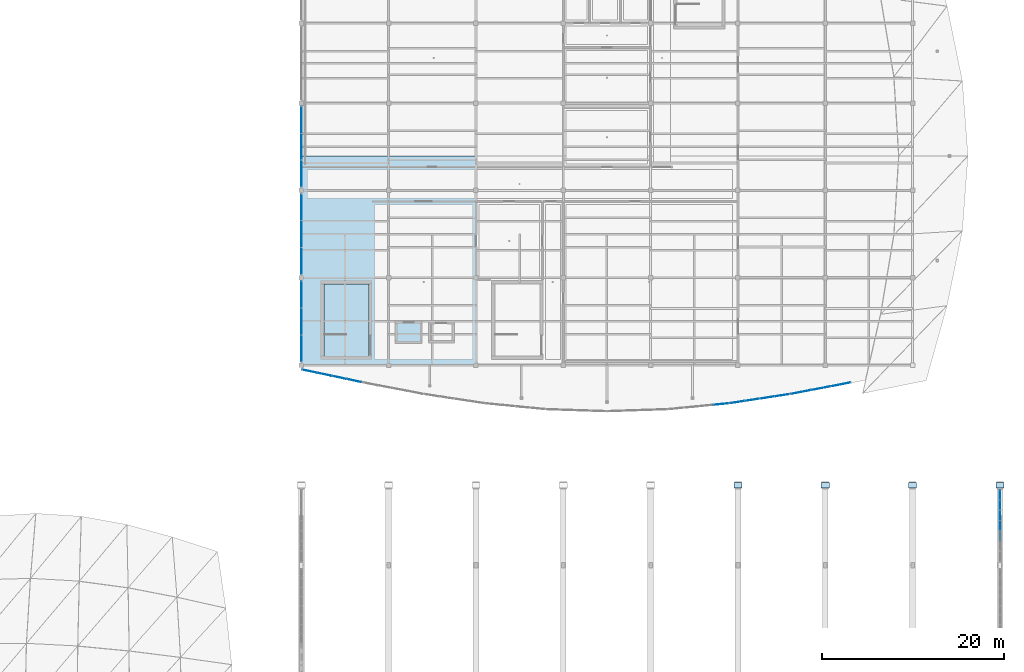
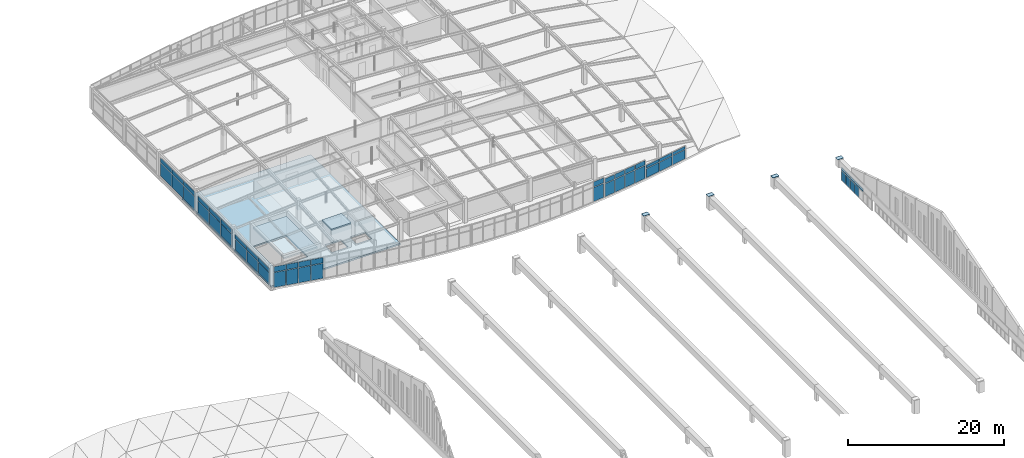
# One storey, part 55 of 65: 55 plates, 3 slabs, 8 elements without a shape of their own.
"""IFC4 building model written with IfcOpenShell, lengths in metres."""

from ifc_helpers import new_model, si_unit, direction, frame, origin, origin_2d, place, context, subcontext, project, spatial, polyline, rectangle, outline, extrude, material, layer, layer_set, type_object, element, aggregate, save


model = new_model("IFC4")

# Units and contexts
model_context = context("Model", 3, precision=1e-05, world=origin(), true_north=direction((0.0, 1.0)))
body_context = subcontext(model_context, "Body", "Model", "MODEL_VIEW")
ifc_project = project(units=[si_unit("LENGTHUNIT", "METRE"), si_unit("AREAUNIT", "SQUARE_METRE"), si_unit("VOLUMEUNIT", "CUBIC_METRE"), si_unit("PLANEANGLEUNIT", "RADIAN"), si_unit("MASSUNIT", "GRAM", prefix="KILO")], contexts=[model_context])

# Site, building, storey
site_placement = place(None, origin())
site = spatial("IfcSite", under=ifc_project, at=site_placement, CompositionType="ELEMENT")
building_placement = place(site_placement, origin())
building = spatial("IfcBuilding", under=site, at=building_placement, Name="Chalmorin Arch Market", CompositionType="ELEMENT")
storey_placement = place(building_placement, frame((0.0, 0.0, 14.10009765625)))
storey = spatial("IfcBuildingStorey", under=building, at=storey_placement, Name="L03", CompositionType="ELEMENT", Elevation=14.10009765625)

# Slab
ifc_material_1 = material(Name="Concrete C40/50", Category="concrete")
ifc_layer_1 = layer(ifc_material_1, 0.239990234375)
ifc_layer_set_1 = layer_set([ifc_layer_1], Name="Concrete C40/50")
slab_type_1 = type_object("IfcSlabType", Name="AdminFloorSlab-240", PredefinedType="FLOOR", material=ifc_layer_set_1)
slab_1_placement = place(storey_placement, frame((0.0, 0.0, -0.239990234375)))
element("IfcSlab", 1, at=slab_1_placement, inside=storey, type_object=slab_type_1, Name="FS-240-120", PredefinedType="FLOOR", context=body_context, shape_type="SweptSolid", body=[
    extrude(outline(polyline([(48.010009765625, 72.0), (67.18994140625, 72.0), (67.18994140625, 94.989990234375), (48.010009765625, 94.989990234375), (48.010009765625, 72.0)]), holes=[polyline([(50.5, 75.35009765625), (55.39990234375, 75.35009765625), (55.39990234375, 80.89990234375), (50.5, 80.89990234375), (50.5, 75.35009765625)]), polyline([(58.60009765625, 74.64990234375), (61.0, 74.64990234375), (61.0, 76.550048828125), (58.60009765625, 76.550048828125), (58.60009765625, 74.64990234375)]), polyline([(62.25, 74.72509765625), (64.550048828125, 74.72509765625), (64.550048828125, 76.47509765625), (62.25, 76.47509765625), (62.25, 74.72509765625)])]), origin(), (0.0, 0.0, 1.0), 0.239990234375),
])

# Plates
ifc_material_2 = material(Name="Steel A572 Grade 50", Category="steel")
ifc_layer_2 = layer(ifc_material_2, 0.035888671875)
ifc_layer_set_2 = layer_set([ifc_layer_2], Name="Steel A572 Grade 50")
plate_type_1 = type_object("IfcPlateType", Name="ArchSpringBasePlate-900x600x36", PredefinedType="SHEET", material=ifc_layer_set_2)
for number, where, z_axis, x_axis, name in (
    (2, (96.0, 58.800048828125, 2.4970703125), (0.0, 0.0, 1.0), (1.0, 0.0, 0.0), "GP-02-040"),
    (3, (105.60009765625, 58.800048828125, 2.20458984375), (0.0, 0.0, 1.0), (1.0, 0.0, 0.0), "GP-02-042"),
    (4, (115.199951171875, 58.800048828125, 1.7666015625), (0.0, 0.0, 1.0), (1.0, 0.0, 0.0), "GP-02-044"),
    (5, (124.800048828125, 58.800048828125, 1.25), (0.0, 0.0, 1.0), (1.0, 0.0, 0.0), "GP-02-046"),
):
    element("IfcPlate", number, at=place(storey_placement, frame(where, z_axis=z_axis, x_axis=x_axis)), inside=storey, type_object=plate_type_1, Name=name, PredefinedType="SHEET", context=body_context, shape_type="SweptSolid", body=[
        extrude(rectangle(XDim=0.89990234375, YDim=0.60009765625, at=origin_2d()), origin(), (0.0, 0.0, 1.0), 0.035888671875),
    ])

# Slabs
ifc_layer_3 = layer(ifc_material_1, 0.219970703125)
ifc_layer_set_3 = layer_set([ifc_layer_3], Name="Concrete C40/50")
slab_type_2 = type_object("IfcSlabType", Name="ColonnadeCanopySlab-220", PredefinedType="ROOF", material=ifc_layer_set_3)
slab_2_placement = place(storey_placement, frame((0.0, 0.0, 2.75)))
element("IfcSlab", 6, at=slab_2_placement, inside=storey, type_object=slab_type_2, Name="RS-SC5-CAP", PredefinedType="ROOF", context=body_context, shape_type="SweptSolid", body=[
    extrude(outline(polyline([(50.469970703125, 72.969970703125), (55.429931640625, 72.969970703125), (55.429931640625, 80.929931640625), (50.469970703125, 80.929931640625), (50.469970703125, 72.969970703125)])), origin(), (0.0, 0.0, 1.0), 0.219970703125),
])
slab_3_placement = place(storey_placement, frame((0.0, 0.0, 3.64990234375)))
element("IfcSlab", 7, at=slab_3_placement, inside=storey, type_object=slab_type_2, Name="RS-LF-FF1-OVR", PredefinedType="ROOF", context=body_context, shape_type="SweptSolid", body=[
    extrude(outline(polyline([(58.330078125, 74.3798828125), (61.27001953125, 74.3798828125), (61.27001953125, 76.820068359375), (58.330078125, 76.820068359375), (58.330078125, 74.3798828125)])), origin(), (0.0, 0.0, 1.0), 0.219970703125),
])

# Curtain wall, plates
ifc_material_3 = material(Name="Aluminium 6063-T6", Category="aluminium")
ifc_layer_4 = layer(ifc_material_3, 0.159912109375)
ifc_layer_set_4 = layer_set([ifc_layer_4], Name="Aluminium 6063-T6")
curtain_wall_type_1 = type_object("IfcCurtainWallType", Name="GableTympanumCurtainWall-CW4-7880x2180", PredefinedType="NOTDEFINED", material=ifc_layer_set_4)
curtain_wall_1_placement = place(storey_placement, origin())
curtain_wall_1 = element("IfcCurtainWall", 8, at=curtain_wall_1_placement, inside=storey, type_object=curtain_wall_type_1, Name="CW-04-044", PredefinedType="NOTDEFINED")
ifc_material_4 = material(Name="Powder-coated Aluminium Panel", Category="aluminium")
ifc_layer_5 = layer(ifc_material_4, 0.0400390625)
ifc_layer_set_5 = layer_set([ifc_layer_5], Name="Powder-coated Aluminium Panel")
plate_type_2 = type_object("IfcPlateType", Name="ShadowboxSpandrelPanel-40", PredefinedType="CURTAIN_PANEL", material=ifc_layer_set_5)
plate_1_placement = place(storey_placement, frame((124.800048828125, 53.224365234375, -0.3818359375), z_axis=(0.0, 0.0, 1.0), x_axis=(0.0, 1.0, 0.0)))
plate_1 = element("IfcPlate", 9, at=plate_1_placement, type_object=plate_type_2, Name="SP-40-044-03B", PredefinedType="CURTAIN_PANEL", context=body_context, shape_type="SweptSolid", body=[
    extrude(rectangle(XDim=1.045654296875, YDim=0.0400390625, at=origin_2d()), origin(), (0.0, 0.0, 1.0), 0.496826171875),
])
plate_2_placement = place(storey_placement, frame((124.800048828125, 54.35009765625, -0.3818359375), z_axis=(0.0, 0.0, 1.0), x_axis=(0.0, 1.0, 0.0)))
plate_2 = element("IfcPlate", 10, at=plate_2_placement, type_object=plate_type_2, Name="SP-40-044-04B", PredefinedType="CURTAIN_PANEL", context=body_context, shape_type="SweptSolid", body=[
    extrude(rectangle(XDim=1.045654296875, YDim=0.0400390625, at=origin_2d()), origin(), (0.0, 0.0, 1.0), 0.496826171875),
])
plate_3_placement = place(storey_placement, frame((124.800048828125, 55.4755859375, -0.3818359375), z_axis=(0.0, 0.0, 1.0), x_axis=(0.0, 1.0, 0.0)))
plate_3 = element("IfcPlate", 11, at=plate_3_placement, type_object=plate_type_2, Name="SP-40-044-05B", PredefinedType="CURTAIN_PANEL", context=body_context, shape_type="SweptSolid", body=[
    extrude(rectangle(XDim=1.045654296875, YDim=0.0400390625, at=origin_2d()), origin(), (0.0, 0.0, 1.0), 0.496826171875),
])
plate_4_placement = place(storey_placement, frame((124.800048828125, 56.601318359375, -0.3818359375), z_axis=(0.0, 0.0, 1.0), x_axis=(0.0, 1.0, 0.0)))
plate_4 = element("IfcPlate", 12, at=plate_4_placement, type_object=plate_type_2, Name="SP-40-044-06B", PredefinedType="CURTAIN_PANEL", context=body_context, shape_type="SweptSolid", body=[
    extrude(rectangle(XDim=1.045654296875, YDim=0.0400390625, at=origin_2d()), origin(), (0.0, 0.0, 1.0), 0.496826171875),
])
plate_5_placement = place(storey_placement, frame((124.800048828125, 57.72705078125, -0.3818359375), z_axis=(0.0, 0.0, 1.0), x_axis=(0.0, 1.0, 0.0)))
plate_5 = element("IfcPlate", 13, at=plate_5_placement, type_object=plate_type_2, Name="SP-40-044-07B", PredefinedType="CURTAIN_PANEL", context=body_context, shape_type="SweptSolid", body=[
    extrude(rectangle(XDim=1.045654296875, YDim=0.0400390625, at=origin_2d()), origin(), (0.0, 0.0, 1.0), 0.496826171875),
])

ifc_layer_6 = layer(ifc_material_3, 0.159912109375)
ifc_layer_set_6 = layer_set([ifc_layer_6], Name="Aluminium 6063-T6")
curtain_wall_type_2 = type_object("IfcCurtainWallType", Name="CulinaryStudioCurtainWall-CW3-8880x2570", PredefinedType="NOTDEFINED", material=ifc_layer_set_6)
curtain_wall_2_placement = place(storey_placement, origin())
curtain_wall_2 = element("IfcCurtainWall", 14, at=curtain_wall_2_placement, inside=storey, type_object=curtain_wall_type_2, Name="CW-03-109", PredefinedType="NOTDEFINED")
plate_6_placement = place(storey_placement, frame((48.0, 73.840087890625, 1.892333984375), z_axis=(0.0, 0.0, 1.0), x_axis=(0.0, 1.0, 0.0)))
plate_6 = element("IfcPlate", 15, at=plate_6_placement, type_object=plate_type_2, Name="SP-40-109-01B", PredefinedType="CURTAIN_PANEL", context=body_context, shape_type="SweptSolid", body=[
    extrude(rectangle(XDim=2.8798828125, YDim=0.0400390625, at=origin_2d()), origin(), (0.0, 0.0, 1.0), 0.603515625),
])
plate_7_placement = place(storey_placement, frame((48.0, 76.800048828125, 1.892333984375), z_axis=(0.0, 0.0, 1.0), x_axis=(0.0, 1.0, 0.0)))
plate_7 = element("IfcPlate", 16, at=plate_7_placement, type_object=plate_type_2, Name="SP-40-109-02B", PredefinedType="CURTAIN_PANEL", context=body_context, shape_type="SweptSolid", body=[
    extrude(rectangle(XDim=2.8798828125, YDim=0.0400390625, at=origin_2d()), origin(), (0.0, 0.0, 1.0), 0.603515625),
])
plate_8_placement = place(storey_placement, frame((48.0, 79.760009765625, 1.892333984375), z_axis=(0.0, 0.0, 1.0), x_axis=(0.0, 1.0, 0.0)))
plate_8 = element("IfcPlate", 17, at=plate_8_placement, type_object=plate_type_2, Name="SP-40-109-03B", PredefinedType="CURTAIN_PANEL", context=body_context, shape_type="SweptSolid", body=[
    extrude(rectangle(XDim=2.8798828125, YDim=0.0400390625, at=origin_2d()), origin(), (0.0, 0.0, 1.0), 0.603515625),
])

ifc_layer_7 = layer(ifc_material_3, 0.159912109375)
ifc_layer_set_7 = layer_set([ifc_layer_7], Name="Aluminium 6063-T6")
curtain_wall_type_3 = type_object("IfcCurtainWallType", Name="CulinaryStudioCurtainWall-CW3-8880x2840", PredefinedType="NOTDEFINED", material=ifc_layer_set_7)
curtain_wall_3_placement = place(storey_placement, origin())
curtain_wall_3 = element("IfcCurtainWall", 18, at=curtain_wall_3_placement, inside=storey, type_object=curtain_wall_type_3, Name="CW-03-112", PredefinedType="NOTDEFINED")
plate_9_placement = place(storey_placement, frame((48.0, 83.43994140625, 2.09326171875), z_axis=(0.0, 0.0, 1.0), x_axis=(0.0, 1.0, 0.0)))
plate_9 = element("IfcPlate", 19, at=plate_9_placement, type_object=plate_type_2, Name="SP-40-112-01B", PredefinedType="CURTAIN_PANEL", context=body_context, shape_type="SweptSolid", body=[
    extrude(rectangle(XDim=2.8798828125, YDim=0.0400390625, at=origin_2d()), origin(), (0.0, 0.0, 1.0), 0.681640625),
])
plate_10_placement = place(storey_placement, frame((48.0, 86.39990234375, 2.09326171875), z_axis=(0.0, 0.0, 1.0), x_axis=(0.0, 1.0, 0.0)))
plate_10 = element("IfcPlate", 20, at=plate_10_placement, type_object=plate_type_2, Name="SP-40-112-02B", PredefinedType="CURTAIN_PANEL", context=body_context, shape_type="SweptSolid", body=[
    extrude(rectangle(XDim=2.8798828125, YDim=0.0400390625, at=origin_2d()), origin(), (0.0, 0.0, 1.0), 0.681640625),
])
plate_11_placement = place(storey_placement, frame((48.0, 89.360107421875, 2.09326171875), z_axis=(0.0, 0.0, 1.0), x_axis=(0.0, 1.0, 0.0)))
plate_11 = element("IfcPlate", 21, at=plate_11_placement, type_object=plate_type_2, Name="SP-40-112-03B", PredefinedType="CURTAIN_PANEL", context=body_context, shape_type="SweptSolid", body=[
    extrude(rectangle(XDim=2.8798828125, YDim=0.0400390625, at=origin_2d()), origin(), (0.0, 0.0, 1.0), 0.681640625),
])

ifc_layer_8 = layer(ifc_material_3, 0.159912109375)
ifc_layer_set_8 = layer_set([ifc_layer_8], Name="Aluminium 6063-T6")
curtain_wall_type_4 = type_object("IfcCurtainWallType", Name="CulinaryStudioCurtainWall-CW3-8880x2980", PredefinedType="NOTDEFINED", material=ifc_layer_set_8)
curtain_wall_4_placement = place(storey_placement, origin())
curtain_wall_4 = element("IfcCurtainWall", 22, at=curtain_wall_4_placement, inside=storey, type_object=curtain_wall_type_4, Name="CW-03-114", PredefinedType="NOTDEFINED")
plate_12_placement = place(storey_placement, frame((48.0, 93.0400390625, 2.189208984375), z_axis=(0.0, 0.0, 1.0), x_axis=(0.0, 1.0, 0.0)))
plate_12 = element("IfcPlate", 23, at=plate_12_placement, type_object=plate_type_2, Name="SP-40-114-01B", PredefinedType="CURTAIN_PANEL", context=body_context, shape_type="SweptSolid", body=[
    extrude(rectangle(XDim=2.8798828125, YDim=0.0400390625, at=origin_2d()), origin(), (0.0, 0.0, 1.0), 0.71875),
])
plate_13_placement = place(storey_placement, frame((48.0, 96.0, 2.189208984375), z_axis=(0.0, 0.0, 1.0), x_axis=(0.0, 1.0, 0.0)))
plate_13 = element("IfcPlate", 24, at=plate_13_placement, type_object=plate_type_2, Name="SP-40-114-02B", PredefinedType="CURTAIN_PANEL", context=body_context, shape_type="SweptSolid", body=[
    extrude(rectangle(XDim=2.8798828125, YDim=0.0400390625, at=origin_2d()), origin(), (0.0, 0.0, 1.0), 0.71875),
])
plate_14_placement = place(storey_placement, frame((48.0, 98.9599609375, 2.189208984375), z_axis=(0.0, 0.0, 1.0), x_axis=(0.0, 1.0, 0.0)))
plate_14 = element("IfcPlate", 25, at=plate_14_placement, type_object=plate_type_2, Name="SP-40-114-03B", PredefinedType="CURTAIN_PANEL", context=body_context, shape_type="SweptSolid", body=[
    extrude(rectangle(XDim=2.8798828125, YDim=0.0400390625, at=origin_2d()), origin(), (0.0, 0.0, 1.0), 0.71875),
])

ifc_layer_9 = layer(ifc_material_3, 0.159912109375)
ifc_layer_set_9 = layer_set([ifc_layer_9], Name="Aluminium 6063-T6")
curtain_wall_type_5 = type_object("IfcCurtainWallType", Name="CulinaryStudioCurtainWall-CW3-6690x3420", PredefinedType="NOTDEFINED", material=ifc_layer_set_9)
curtain_wall_5_placement = place(storey_placement, origin())
curtain_wall_5 = element("IfcCurtainWall", 26, at=curtain_wall_5_placement, inside=storey, type_object=curtain_wall_type_5, Name="CW-03-152", PredefinedType="NOTDEFINED")
plate_15_placement = place(storey_placement, frame((48.906005859375, 71.328369140625, 2.484375), z_axis=(0.0, 0.0, 1.0), x_axis=(0.978147600734, -0.207911690818, 0.0)))
plate_15 = element("IfcPlate", 27, at=plate_15_placement, type_object=plate_type_2, Name="SP-40-152-01B", PredefinedType="CURTAIN_PANEL", context=body_context, shape_type="SweptSolid", body=[
    extrude(rectangle(XDim=1.592041015625, YDim=0.0400390625, at=origin_2d()), origin(), (0.0, 0.0, 1.0), 0.841552734375),
])
plate_16_placement = place(storey_placement, frame((50.5419921875, 70.982421875, 2.484375), z_axis=(0.0, 0.0, 1.0), x_axis=(0.978147600734, -0.207911690818, 0.0)))
plate_16 = element("IfcPlate", 28, at=plate_16_placement, type_object=plate_type_2, Name="SP-40-152-02B", PredefinedType="CURTAIN_PANEL", context=body_context, shape_type="SweptSolid", body=[
    extrude(rectangle(XDim=1.592041015625, YDim=0.0400390625, at=origin_2d()), origin(), (0.0, 0.0, 1.0), 0.841552734375),
])
plate_17_placement = place(storey_placement, frame((52.177978515625, 70.636474609375, 2.484375), z_axis=(0.0, 0.0, 1.0), x_axis=(0.978147600734, -0.207911690818, 0.0)))
plate_17 = element("IfcPlate", 29, at=plate_17_placement, type_object=plate_type_2, Name="SP-40-152-03B", PredefinedType="CURTAIN_PANEL", context=body_context, shape_type="SweptSolid", body=[
    extrude(rectangle(XDim=1.592041015625, YDim=0.0400390625, at=origin_2d()), origin(), (0.0, 0.0, 1.0), 0.841552734375),
])
plate_18_placement = place(storey_placement, frame((53.81396484375, 70.29052734375, 2.484375), z_axis=(0.0, 0.0, 1.0), x_axis=(0.978147600734, -0.207911690818, 0.0)))
plate_18 = element("IfcPlate", 30, at=plate_18_placement, type_object=plate_type_2, Name="SP-40-152-04B", PredefinedType="CURTAIN_PANEL", context=body_context, shape_type="SweptSolid", body=[
    extrude(rectangle(XDim=1.592041015625, YDim=0.0400390625, at=origin_2d()), origin(), (0.0, 0.0, 1.0), 0.841552734375),
])

# Curtain wall, plate
ifc_layer_10 = layer(ifc_material_3, 0.159912109375)
ifc_layer_set_10 = layer_set([ifc_layer_10], Name="Aluminium 6063-T6")
curtain_wall_type_6 = type_object("IfcCurtainWallType", Name="CulinaryStudioCurtainWall-CW3-6570x3220", PredefinedType="NOTDEFINED", material=ifc_layer_set_10)
curtain_wall_6_placement = place(storey_placement, origin())
curtain_wall_6 = element("IfcCurtainWall", 31, at=curtain_wall_6_placement, inside=storey, type_object=curtain_wall_type_6, Name="CW-03-170", PredefinedType="NOTDEFINED")
plate_19_placement = place(storey_placement, frame((94.1328125, 67.710693359375, 2.34619140625), z_axis=(0.0, 0.0, 1.0), x_axis=(0.994521895368, 0.104528463268, 0.0)))
plate_19 = element("IfcPlate", 32, at=plate_19_placement, type_object=plate_type_2, Name="SP-40-170-04B", PredefinedType="CURTAIN_PANEL", context=body_context, shape_type="SweptSolid", body=[
    extrude(rectangle(XDim=1.56298828125, YDim=0.0400390625, at=origin_2d()), origin(), (0.0, 0.0, 1.0), 0.78759765625),
])

# Curtain wall, plates
ifc_layer_11 = layer(ifc_material_3, 0.159912109375)
ifc_layer_set_11 = layer_set([ifc_layer_11], Name="Aluminium 6063-T6")
curtain_wall_type_7 = type_object("IfcCurtainWallType", Name="CulinaryStudioCurtainWall-CW3-6620x2970", PredefinedType="NOTDEFINED", material=ifc_layer_set_11)
curtain_wall_7_placement = place(storey_placement, origin())
curtain_wall_7 = element("IfcCurtainWall", 33, at=curtain_wall_7_placement, inside=storey, type_object=curtain_wall_type_7, Name="CW-03-173", PredefinedType="NOTDEFINED")
plate_20_placement = place(storey_placement, frame((95.94677734375, 67.936279296875, 2.16552734375), z_axis=(0.0, 0.0, 1.0), x_axis=(0.987688340595, 0.15643446504, 0.0)))
plate_20 = element("IfcPlate", 34, at=plate_20_placement, type_object=plate_type_2, Name="SP-40-173-01B", PredefinedType="CURTAIN_PANEL", context=body_context, shape_type="SweptSolid", body=[
    extrude(rectangle(XDim=1.57421875, YDim=0.0400390625, at=origin_2d()), origin(), (0.0, 0.0, 1.0), 0.71728515625),
])
plate_21_placement = place(storey_placement, frame((97.582275390625, 68.183837890625, 2.16552734375), z_axis=(0.0, 0.0, 1.0), x_axis=(0.987688340595, 0.15643446504, 0.0)))
plate_21 = element("IfcPlate", 35, at=plate_21_placement, type_object=plate_type_2, Name="SP-40-173-02B", PredefinedType="CURTAIN_PANEL", context=body_context, shape_type="SweptSolid", body=[
    extrude(rectangle(XDim=1.57421875, YDim=0.0400390625, at=origin_2d()), origin(), (0.0, 0.0, 1.0), 0.71728515625),
])
plate_22_placement = place(storey_placement, frame((99.2177734375, 68.43115234375, 2.16552734375), z_axis=(0.0, 0.0, 1.0), x_axis=(0.987688340595, 0.15643446504, 0.0)))
plate_22 = element("IfcPlate", 36, at=plate_22_placement, type_object=plate_type_2, Name="SP-40-173-03B", PredefinedType="CURTAIN_PANEL", context=body_context, shape_type="SweptSolid", body=[
    extrude(rectangle(XDim=1.57421875, YDim=0.0400390625, at=origin_2d()), origin(), (0.0, 0.0, 1.0), 0.71728515625),
])
plate_23_placement = place(storey_placement, frame((100.853271484375, 68.6787109375, 2.16552734375), z_axis=(0.0, 0.0, 1.0), x_axis=(0.987688340595, 0.15643446504, 0.0)))
plate_23 = element("IfcPlate", 37, at=plate_23_placement, type_object=plate_type_2, Name="SP-40-173-04B", PredefinedType="CURTAIN_PANEL", context=body_context, shape_type="SweptSolid", body=[
    extrude(rectangle(XDim=1.57421875, YDim=0.0400390625, at=origin_2d()), origin(), (0.0, 0.0, 1.0), 0.71728515625),
])

ifc_layer_12 = layer(ifc_material_3, 0.159912109375)
ifc_layer_set_12 = layer_set([ifc_layer_12], Name="Aluminium 6063-T6")
curtain_wall_type_8 = type_object("IfcCurtainWallType", Name="CulinaryStudioCurtainWall-CW3-6660x2110", PredefinedType="NOTDEFINED", material=ifc_layer_set_12)
curtain_wall_8_placement = place(storey_placement, origin())
curtain_wall_8 = element("IfcCurtainWall", 38, at=curtain_wall_8_placement, inside=storey, type_object=curtain_wall_type_8, Name="CW-03-176", PredefinedType="NOTDEFINED")
plate_24_placement = place(storey_placement, frame((102.93896484375, 69.041015625, 1.546875), z_axis=(0.0, 0.0, 1.0), x_axis=(0.981627183448, 0.190808995377, 0.0)))
plate_24 = element("IfcPlate", 39, at=plate_24_placement, type_object=plate_type_2, Name="SP-40-176-01B", PredefinedType="CURTAIN_PANEL", context=body_context, shape_type="SweptSolid", body=[
    extrude(rectangle(XDim=2.140380859375, YDim=0.0400390625, at=origin_2d()), origin(), (0.0, 0.0, 1.0), 0.476806640625),
])
plate_25_placement = place(storey_placement, frame((105.1201171875, 69.45751953125, 1.546875), z_axis=(0.0, 0.0, 1.0), x_axis=(0.981627183448, 0.190808995377, 0.0)))
plate_25 = element("IfcPlate", 40, at=plate_25_placement, type_object=plate_type_2, Name="SP-40-176-02B", PredefinedType="CURTAIN_PANEL", context=body_context, shape_type="SweptSolid", body=[
    extrude(rectangle(XDim=2.140380859375, YDim=0.0400390625, at=origin_2d()), origin(), (0.0, 0.0, 1.0), 0.476806640625),
])
plate_26_placement = place(storey_placement, frame((107.301025390625, 69.873779296875, 1.546875), z_axis=(0.0, 0.0, 1.0), x_axis=(0.981627183448, 0.190808995377, 0.0)))
plate_26 = element("IfcPlate", 41, at=plate_26_placement, type_object=plate_type_2, Name="SP-40-176-03B", PredefinedType="CURTAIN_PANEL", context=body_context, shape_type="SweptSolid", body=[
    extrude(rectangle(XDim=2.140380859375, YDim=0.0400390625, at=origin_2d()), origin(), (0.0, 0.0, 1.0), 0.476806640625),
])

# Plate
ifc_material_5 = material(Name="Laminated Acoustic Glass", Category="glass")
ifc_layer_13 = layer(ifc_material_5, 0.031982421875)
ifc_layer_set_13 = layer_set([ifc_layer_13], Name="Laminated Acoustic Glass")
plate_type_3 = type_object("IfcPlateType", Name="TintedClerestoryGlass-32", PredefinedType="CURTAIN_PANEL", material=ifc_layer_set_13)
plate_27_placement = place(storey_placement, frame((124.800048828125, 54.35009765625, -1.93017578125), z_axis=(0.0, 0.0, 1.0), x_axis=(0.0, 1.0, 0.0)))
plate_27 = element("IfcPlate", 42, at=plate_27_placement, type_object=plate_type_3, Name="GL-32-044-04A", PredefinedType="CURTAIN_PANEL", context=body_context, shape_type="SweptSolid", body=[
    extrude(rectangle(XDim=1.045654296875, YDim=0.031982421875, at=origin_2d()), origin(), (0.0, 0.0, 1.0), 1.458251953125),
])

plate_28_placement = place(storey_placement, frame((124.800048828125, 55.4755859375, -1.93017578125), z_axis=(0.0, 0.0, 1.0), x_axis=(0.0, 1.0, 0.0)))
plate_28 = element("IfcPlate", 43, at=plate_28_placement, type_object=plate_type_3, Name="GL-32-044-05A", PredefinedType="CURTAIN_PANEL", context=body_context, shape_type="SweptSolid", body=[
    extrude(rectangle(XDim=1.045654296875, YDim=0.031982421875, at=origin_2d()), origin(), (0.0, 0.0, 1.0), 1.458251953125),
])

plate_29_placement = place(storey_placement, frame((124.800048828125, 56.601318359375, -1.93017578125), z_axis=(0.0, 0.0, 1.0), x_axis=(0.0, 1.0, 0.0)))
plate_29 = element("IfcPlate", 44, at=plate_29_placement, type_object=plate_type_3, Name="GL-32-044-06A", PredefinedType="CURTAIN_PANEL", context=body_context, shape_type="SweptSolid", body=[
    extrude(rectangle(XDim=1.045654296875, YDim=0.031982421875, at=origin_2d()), origin(), (0.0, 0.0, 1.0), 1.458251953125),
])

plate_30_placement = place(storey_placement, frame((124.800048828125, 57.72705078125, -1.93017578125), z_axis=(0.0, 0.0, 1.0), x_axis=(0.0, 1.0, 0.0)))
plate_30 = element("IfcPlate", 45, at=plate_30_placement, type_object=plate_type_3, Name="GL-32-044-07A", PredefinedType="CURTAIN_PANEL", context=body_context, shape_type="SweptSolid", body=[
    extrude(rectangle(XDim=1.045654296875, YDim=0.031982421875, at=origin_2d()), origin(), (0.0, 0.0, 1.0), 1.458251953125),
])

aggregate(curtain_wall_1, [plate_1, plate_27, plate_2, plate_28, plate_3, plate_29, plate_4, plate_30, plate_5])

ifc_material_6 = material(Name="Low-E Tempered Glass", Category="glass")
ifc_layer_14 = layer(ifc_material_6, 0.028076171875)
ifc_layer_set_14 = layer_set([ifc_layer_14], Name="Low-E Tempered Glass")
plate_type_4 = type_object("IfcPlateType", Name="VisionIGUPanel-28", PredefinedType="CURTAIN_PANEL", material=ifc_layer_set_14)
plate_31_placement = place(storey_placement, frame((48.0, 73.840087890625, 0.06982421875), z_axis=(0.0, 0.0, 1.0), x_axis=(0.0, 1.0, 0.0)))
plate_31 = element("IfcPlate", 46, at=plate_31_placement, type_object=plate_type_4, Name="GL-28-109-01A", PredefinedType="CURTAIN_PANEL", context=body_context, shape_type="SweptSolid", body=[
    extrude(rectangle(XDim=2.8798828125, YDim=0.028076171875, at=origin_2d()), origin(), (0.0, 0.0, 1.0), 1.732421875),
])

plate_32_placement = place(storey_placement, frame((48.0, 76.800048828125, 0.06982421875), z_axis=(0.0, 0.0, 1.0), x_axis=(0.0, 1.0, 0.0)))
plate_32 = element("IfcPlate", 47, at=plate_32_placement, type_object=plate_type_4, Name="GL-28-109-02A", PredefinedType="CURTAIN_PANEL", context=body_context, shape_type="SweptSolid", body=[
    extrude(rectangle(XDim=2.8798828125, YDim=0.028076171875, at=origin_2d()), origin(), (0.0, 0.0, 1.0), 1.732421875),
])

plate_33_placement = place(storey_placement, frame((48.0, 79.760009765625, 0.06982421875), z_axis=(0.0, 0.0, 1.0), x_axis=(0.0, 1.0, 0.0)))
plate_33 = element("IfcPlate", 48, at=plate_33_placement, type_object=plate_type_4, Name="GL-28-109-03A", PredefinedType="CURTAIN_PANEL", context=body_context, shape_type="SweptSolid", body=[
    extrude(rectangle(XDim=2.8798828125, YDim=0.028076171875, at=origin_2d()), origin(), (0.0, 0.0, 1.0), 1.732421875),
])

aggregate(curtain_wall_2, [plate_31, plate_6, plate_32, plate_7, plate_33, plate_8])

plate_34_placement = place(storey_placement, frame((48.0, 83.43994140625, 0.06982421875), z_axis=(0.0, 0.0, 1.0), x_axis=(0.0, 1.0, 0.0)))
plate_34 = element("IfcPlate", 49, at=plate_34_placement, type_object=plate_type_4, Name="GL-28-112-01A", PredefinedType="CURTAIN_PANEL", context=body_context, shape_type="SweptSolid", body=[
    extrude(rectangle(XDim=2.8798828125, YDim=0.028076171875, at=origin_2d()), origin(), (0.0, 0.0, 1.0), 1.933349609375),
])

plate_35_placement = place(storey_placement, frame((48.0, 86.39990234375, 0.06982421875), z_axis=(0.0, 0.0, 1.0), x_axis=(0.0, 1.0, 0.0)))
plate_35 = element("IfcPlate", 50, at=plate_35_placement, type_object=plate_type_4, Name="GL-28-112-02A", PredefinedType="CURTAIN_PANEL", context=body_context, shape_type="SweptSolid", body=[
    extrude(rectangle(XDim=2.8798828125, YDim=0.028076171875, at=origin_2d()), origin(), (0.0, 0.0, 1.0), 1.933349609375),
])

plate_36_placement = place(storey_placement, frame((48.0, 89.360107421875, 0.06982421875), z_axis=(0.0, 0.0, 1.0), x_axis=(0.0, 1.0, 0.0)))
plate_36 = element("IfcPlate", 51, at=plate_36_placement, type_object=plate_type_4, Name="GL-28-112-03A", PredefinedType="CURTAIN_PANEL", context=body_context, shape_type="SweptSolid", body=[
    extrude(rectangle(XDim=2.8798828125, YDim=0.028076171875, at=origin_2d()), origin(), (0.0, 0.0, 1.0), 1.933349609375),
])

aggregate(curtain_wall_3, [plate_34, plate_9, plate_35, plate_10, plate_36, plate_11])

plate_37_placement = place(storey_placement, frame((48.0, 93.0400390625, 0.06982421875), z_axis=(0.0, 0.0, 1.0), x_axis=(0.0, 1.0, 0.0)))
plate_37 = element("IfcPlate", 52, at=plate_37_placement, type_object=plate_type_4, Name="GL-28-114-01A", PredefinedType="CURTAIN_PANEL", context=body_context, shape_type="SweptSolid", body=[
    extrude(rectangle(XDim=2.8798828125, YDim=0.028076171875, at=origin_2d()), origin(), (0.0, 0.0, 1.0), 2.029296875),
])

plate_38_placement = place(storey_placement, frame((48.0, 96.0, 0.06982421875), z_axis=(0.0, 0.0, 1.0), x_axis=(0.0, 1.0, 0.0)))
plate_38 = element("IfcPlate", 53, at=plate_38_placement, type_object=plate_type_4, Name="GL-28-114-02A", PredefinedType="CURTAIN_PANEL", context=body_context, shape_type="SweptSolid", body=[
    extrude(rectangle(XDim=2.8798828125, YDim=0.028076171875, at=origin_2d()), origin(), (0.0, 0.0, 1.0), 2.029296875),
])

plate_39_placement = place(storey_placement, frame((48.0, 98.9599609375, 0.06982421875), z_axis=(0.0, 0.0, 1.0), x_axis=(0.0, 1.0, 0.0)))
plate_39 = element("IfcPlate", 54, at=plate_39_placement, type_object=plate_type_4, Name="GL-28-114-03A", PredefinedType="CURTAIN_PANEL", context=body_context, shape_type="SweptSolid", body=[
    extrude(rectangle(XDim=2.8798828125, YDim=0.028076171875, at=origin_2d()), origin(), (0.0, 0.0, 1.0), 2.029296875),
])

aggregate(curtain_wall_4, [plate_37, plate_12, plate_38, plate_13, plate_39, plate_14])

plate_40_placement = place(storey_placement, frame((48.906005859375, 71.328369140625, 0.0498046875), z_axis=(0.0, 0.0, 1.0), x_axis=(0.978147600734, -0.207911690818, 0.0)))
plate_40 = element("IfcPlate", 55, at=plate_40_placement, type_object=plate_type_4, Name="GL-28-152-01A", PredefinedType="CURTAIN_PANEL", context=body_context, shape_type="SweptSolid", body=[
    extrude(rectangle(XDim=1.592041015625, YDim=0.028076171875, at=origin_2d()), origin(), (0.0, 0.0, 1.0), 2.344482421875),
])

plate_41_placement = place(storey_placement, frame((50.5419921875, 70.982421875, 0.0498046875), z_axis=(0.0, 0.0, 1.0), x_axis=(0.978147600734, -0.207911690818, 0.0)))
plate_41 = element("IfcPlate", 56, at=plate_41_placement, type_object=plate_type_4, Name="GL-28-152-02A", PredefinedType="CURTAIN_PANEL", context=body_context, shape_type="SweptSolid", body=[
    extrude(rectangle(XDim=1.592041015625, YDim=0.028076171875, at=origin_2d()), origin(), (0.0, 0.0, 1.0), 2.344482421875),
])

plate_42_placement = place(storey_placement, frame((52.177978515625, 70.636474609375, 0.0498046875), z_axis=(0.0, 0.0, 1.0), x_axis=(0.978147600734, -0.207911690818, 0.0)))
plate_42 = element("IfcPlate", 57, at=plate_42_placement, type_object=plate_type_4, Name="GL-28-152-03A", PredefinedType="CURTAIN_PANEL", context=body_context, shape_type="SweptSolid", body=[
    extrude(rectangle(XDim=1.592041015625, YDim=0.028076171875, at=origin_2d()), origin(), (0.0, 0.0, 1.0), 2.344482421875),
])

plate_43_placement = place(storey_placement, frame((53.81396484375, 70.29052734375, 0.0498046875), z_axis=(0.0, 0.0, 1.0), x_axis=(0.978147600734, -0.207911690818, 0.0)))
plate_43 = element("IfcPlate", 58, at=plate_43_placement, type_object=plate_type_4, Name="GL-28-152-04A", PredefinedType="CURTAIN_PANEL", context=body_context, shape_type="SweptSolid", body=[
    extrude(rectangle(XDim=1.592041015625, YDim=0.028076171875, at=origin_2d()), origin(), (0.0, 0.0, 1.0), 2.344482421875),
])

aggregate(curtain_wall_5, [plate_40, plate_15, plate_41, plate_16, plate_42, plate_17, plate_43, plate_18])

plate_44_placement = place(storey_placement, frame((94.1328125, 67.710693359375, 0.0498046875), z_axis=(0.0, 0.0, 1.0), x_axis=(0.994521895368, 0.104528463268, 0.0)))
plate_44 = element("IfcPlate", 59, at=plate_44_placement, type_object=plate_type_4, Name="GL-28-170-04A", PredefinedType="CURTAIN_PANEL", context=body_context, shape_type="SweptSolid", body=[
    extrude(rectangle(XDim=1.56298828125, YDim=0.028076171875, at=origin_2d()), origin(), (0.0, 0.0, 1.0), 2.206298828125),
])

aggregate(curtain_wall_6, [plate_44, plate_19])

plate_45_placement = place(storey_placement, frame((95.94677734375, 67.936279296875, 0.0498046875), z_axis=(0.0, 0.0, 1.0), x_axis=(0.987688340595, 0.15643446504, 0.0)))
plate_45 = element("IfcPlate", 60, at=plate_45_placement, type_object=plate_type_4, Name="GL-28-173-01A", PredefinedType="CURTAIN_PANEL", context=body_context, shape_type="SweptSolid", body=[
    extrude(rectangle(XDim=1.57421875, YDim=0.028076171875, at=origin_2d()), origin(), (0.0, 0.0, 1.0), 2.025634765625),
])

plate_46_placement = place(storey_placement, frame((97.582275390625, 68.183837890625, 0.0498046875), z_axis=(0.0, 0.0, 1.0), x_axis=(0.987688340595, 0.15643446504, 0.0)))
plate_46 = element("IfcPlate", 61, at=plate_46_placement, type_object=plate_type_4, Name="GL-28-173-02A", PredefinedType="CURTAIN_PANEL", context=body_context, shape_type="SweptSolid", body=[
    extrude(rectangle(XDim=1.57421875, YDim=0.028076171875, at=origin_2d()), origin(), (0.0, 0.0, 1.0), 2.025634765625),
])

plate_47_placement = place(storey_placement, frame((99.2177734375, 68.43115234375, 0.0498046875), z_axis=(0.0, 0.0, 1.0), x_axis=(0.987688340595, 0.15643446504, 0.0)))
plate_47 = element("IfcPlate", 62, at=plate_47_placement, type_object=plate_type_4, Name="GL-28-173-03A", PredefinedType="CURTAIN_PANEL", context=body_context, shape_type="SweptSolid", body=[
    extrude(rectangle(XDim=1.57421875, YDim=0.028076171875, at=origin_2d()), origin(), (0.0, 0.0, 1.0), 2.025634765625),
])

plate_48_placement = place(storey_placement, frame((100.853271484375, 68.6787109375, 0.0498046875), z_axis=(0.0, 0.0, 1.0), x_axis=(0.987688340595, 0.15643446504, 0.0)))
plate_48 = element("IfcPlate", 63, at=plate_48_placement, type_object=plate_type_4, Name="GL-28-173-04A", PredefinedType="CURTAIN_PANEL", context=body_context, shape_type="SweptSolid", body=[
    extrude(rectangle(XDim=1.57421875, YDim=0.028076171875, at=origin_2d()), origin(), (0.0, 0.0, 1.0), 2.025634765625),
])

aggregate(curtain_wall_7, [plate_45, plate_20, plate_46, plate_21, plate_47, plate_22, plate_48, plate_23])

plate_49_placement = place(storey_placement, frame((102.93896484375, 69.041015625, 0.0498046875), z_axis=(0.0, 0.0, 1.0), x_axis=(0.981627183448, 0.190808995377, 0.0)))
plate_49 = element("IfcPlate", 64, at=plate_49_placement, type_object=plate_type_4, Name="GL-28-176-01A", PredefinedType="CURTAIN_PANEL", context=body_context, shape_type="SweptSolid", body=[
    extrude(rectangle(XDim=2.140380859375, YDim=0.028076171875, at=origin_2d()), origin(), (0.0, 0.0, 1.0), 1.406982421875),
])

plate_50_placement = place(storey_placement, frame((105.1201171875, 69.45751953125, 0.0498046875), z_axis=(0.0, 0.0, 1.0), x_axis=(0.981627183448, 0.190808995377, 0.0)))
plate_50 = element("IfcPlate", 65, at=plate_50_placement, type_object=plate_type_4, Name="GL-28-176-02A", PredefinedType="CURTAIN_PANEL", context=body_context, shape_type="SweptSolid", body=[
    extrude(rectangle(XDim=2.140380859375, YDim=0.028076171875, at=origin_2d()), origin(), (0.0, 0.0, 1.0), 1.406982421875),
])

plate_51_placement = place(storey_placement, frame((107.301025390625, 69.873779296875, 0.0498046875), z_axis=(0.0, 0.0, 1.0), x_axis=(0.981627183448, 0.190808995377, 0.0)))
plate_51 = element("IfcPlate", 66, at=plate_51_placement, type_object=plate_type_4, Name="GL-28-176-03A", PredefinedType="CURTAIN_PANEL", context=body_context, shape_type="SweptSolid", body=[
    extrude(rectangle(XDim=2.140380859375, YDim=0.028076171875, at=origin_2d()), origin(), (0.0, 0.0, 1.0), 1.406982421875),
])

aggregate(curtain_wall_8, [plate_49, plate_24, plate_50, plate_25, plate_51, plate_26])

save(model, "model.ifc")
